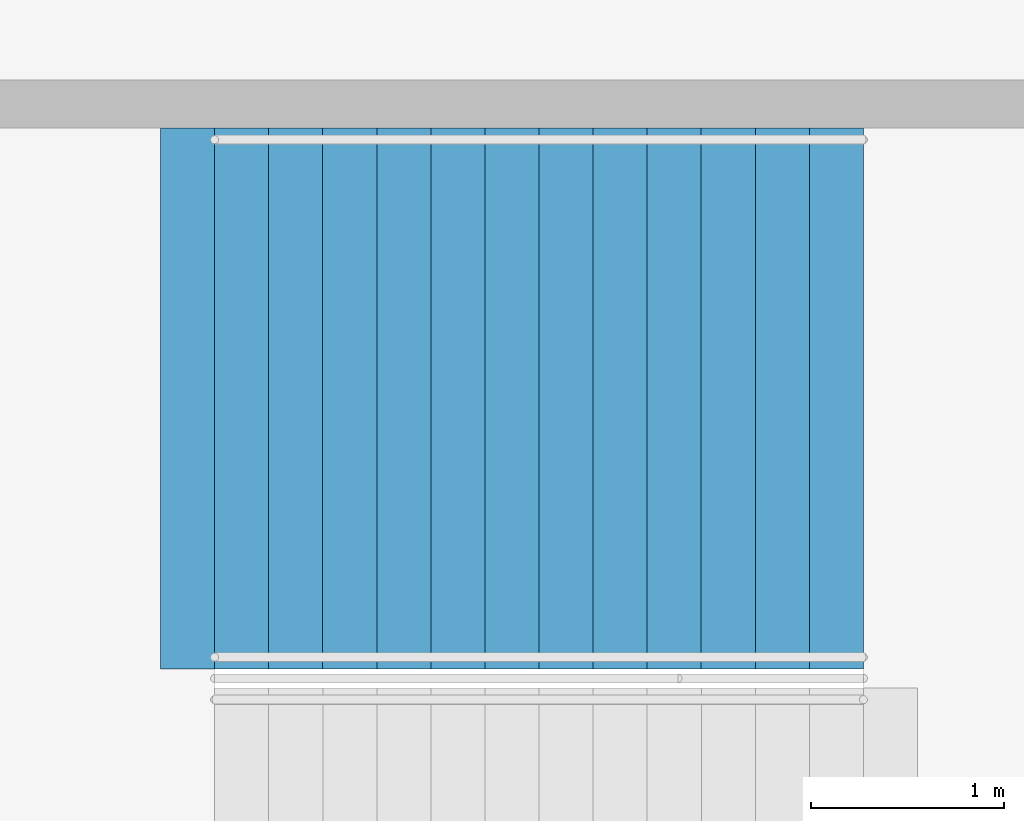
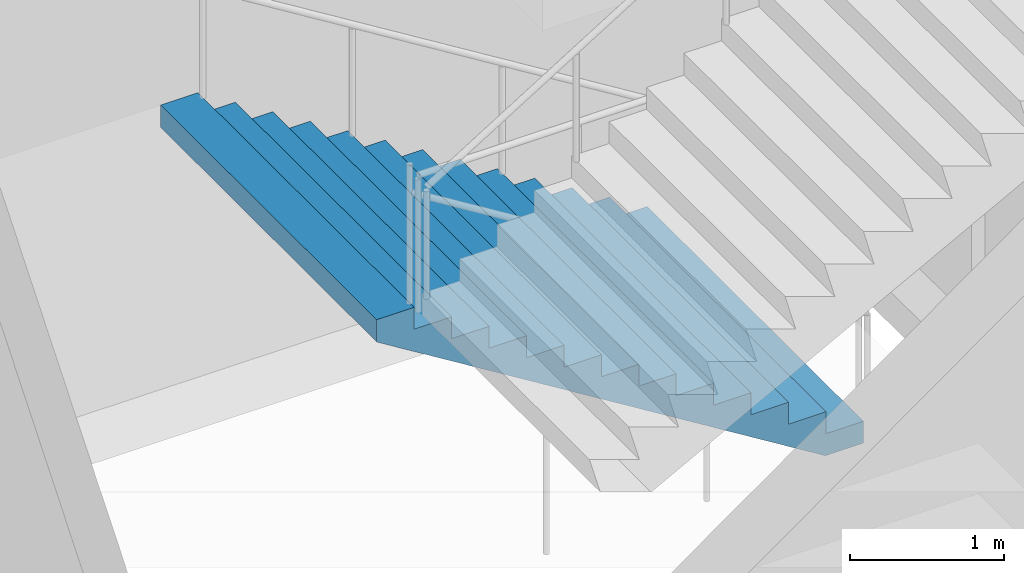
# One storey, part 131 of 177: 1 stair flight, 1 element without a shape of its own.
"""IFC4 building model written with IfcOpenShell, lengths in metres."""

import ifcopenshell
import ifcopenshell.guid

model = None  # the IFC model being written
_history = None  # IfcOwnerHistory: only IFC2X3 demands one
_inside = {}  # id of a spatial element -> (the spatial element, [elements in it])
_under = {}  # id of a project, library or spatial element -> (it, [spatial elements below it])
_declared = {}  # id of a project -> (the project, [libraries it declares])
_typed = {}  # id of a type object -> (the type object, [elements of that type])
_made_of = {}  # id of a material, layer set ... -> (it, [elements and type objects made of it])


def new_model(schema):
    """Start an empty IFC model of exactly this schema.

    Asked for "IFC4X3", IfcOpenShell would pick the latest addendum, in which some entities
    have other attributes; the version numbers below select the first issue.
    IFC2X3 requires an IfcOwnerHistory on every rooted entity: one is made here for all.
    """
    global model, _history
    if schema == "IFC4X3":
        model = ifcopenshell.file(schema_version=(4, 3, 0, 0))
    else:
        model = ifcopenshell.file(schema=schema)
    _inside.clear()
    _under.clear()
    _declared.clear()
    _typed.clear()
    _made_of.clear()
    _history = None
    if model.schema == "IFC2X3":
        org = make("IfcOrganization", Name="unknown")
        user = make(
            "IfcPersonAndOrganization",
            ThePerson=make("IfcPerson", FamilyName="unknown"),
            TheOrganization=org,
        )
        app = make(
            "IfcApplication",
            ApplicationDeveloper=org,
            Version="unknown",
            ApplicationFullName="unknown",
            ApplicationIdentifier="unknown",
        )
        _history = make(
            "IfcOwnerHistory",
            OwningUser=user,
            OwningApplication=app,
            ChangeAction="ADDED",
            CreationDate=0,
        )
    return model


def make(cls, **values):
    """One entity of the class cls with the attributes given. An attribute that is None is left unset."""
    return model.create_entity(
        cls, **{name: value for name, value in values.items() if value is not None}
    )


def rooted(cls, **values):
    """An entity with a GlobalId (a new one), such as an element, a storey or a relation."""
    return make(cls, GlobalId=ifcopenshell.guid.new(), OwnerHistory=_history, **values)


def si_unit(unit_type, name, prefix=None):
    """IfcSIUnit, for example si_unit("LENGTHUNIT", "METRE", prefix="MILLI")."""
    return make("IfcSIUnit", UnitType=unit_type, Prefix=prefix, Name=name)


def assignment(units):
    """IfcUnitAssignment: the units of a project."""
    return None if units is None else make("IfcUnitAssignment", Units=units)


def point(xyz):
    """IfcCartesianPoint."""
    return None if xyz is None else make("IfcCartesianPoint", Coordinates=xyz)


def direction(xyz):
    """IfcDirection."""
    return None if xyz is None else make("IfcDirection", DirectionRatios=xyz)


def frame(location, z_axis=None, x_axis=None):
    """IfcAxis2Placement3D, a coordinate frame: its origin and axes. An axis left out is left unset."""
    return make(
        "IfcAxis2Placement3D",
        Location=point(location),
        Axis=direction(z_axis),
        RefDirection=direction(x_axis),
    )


def origin():
    """The frame at (0, 0, 0) with its axes left unset."""
    return frame((0.0, 0.0, 0.0))


def place(relative_to, where):
    """IfcLocalPlacement: puts the frame where relative to a parent placement (None: the world)."""
    return make(
        "IfcLocalPlacement", PlacementRelTo=relative_to, RelativePlacement=where
    )


def context(
    kind, dimensions, precision=None, world=None, true_north=None, identifier=None
):
    """IfcGeometricRepresentationContext, for example the 3D "Model" context."""
    return make(
        "IfcGeometricRepresentationContext",
        ContextIdentifier=identifier,
        ContextType=kind,
        CoordinateSpaceDimension=dimensions,
        Precision=precision,
        WorldCoordinateSystem=world,
        TrueNorth=true_north,
    )


def subcontext(parent, identifier, kind, view, scale=None):
    """IfcGeometricRepresentationSubContext, for example "Body" below "Model"."""
    return make(
        "IfcGeometricRepresentationSubContext",
        ContextIdentifier=identifier,
        ContextType=kind,
        ParentContext=parent,
        TargetScale=scale,
        TargetView=view,
    )


def project(units=None, contexts=None):
    """IfcProject with its units and contexts."""
    return rooted(
        "IfcProject",
        Name="project",
        RepresentationContexts=contexts,
        UnitsInContext=assignment(units),
    )


def spatial(cls, under=None, at=None, **own):
    """A site, building, storey or space (cls), placed at a placement, below another one or the project."""
    s = rooted(cls, ObjectPlacement=at, **own)
    if under is not None:
        _under.setdefault(under.id(), (under, []))[1].append(s)
    return s


def faces_of(points, faces, orient=None, outer=None):
    """IfcFace entities. A face is a list of loops; a loop is a list of indices into points, from 0.

    orient and outer hold one flag for each loop. By default every Orientation is true, the
    first loop of a face is its IfcFaceOuterBound and the others are IfcFaceBound.
    """
    made = []
    for i, loops in enumerate(faces):
        bounds = []
        for j, loop in enumerate(loops):
            is_outer = j == 0 if outer is None else outer[i][j]
            bounds.append(
                make(
                    "IfcFaceOuterBound" if is_outer else "IfcFaceBound",
                    Bound=make("IfcPolyLoop", Polygon=[points[k] for k in loop]),
                    Orientation=True if orient is None else orient[i][j],
                )
            )
        made.append(make("IfcFace", Bounds=bounds))
    return made


def faceted_brep(points, faces, orient=None, outer=None, voids=None):
    """IfcFacetedBrep: a solid bounded by flat faces; with voids (closed shells), ...WithVoids."""
    shared = [point(p) for p in points]
    hull = make("IfcClosedShell", CfsFaces=faces_of(shared, faces, orient, outer))
    if voids is None:
        return make("IfcFacetedBrep", Outer=hull)
    return make(
        "IfcFacetedBrepWithVoids",
        Outer=hull,
        Voids=[
            make(cls, CfsFaces=faces_of(shared, fs, o, b)) for cls, fs, o, b in voids
        ],
    )


def shape(context_of_items, identifier, shape_type, items):
    """IfcShapeRepresentation: the items that make up one representation, for example the "Body"."""
    return make(
        "IfcShapeRepresentation",
        ContextOfItems=context_of_items,
        RepresentationIdentifier=identifier,
        RepresentationType=shape_type,
        Items=items,
    )


def material(Name=None, Category=None):
    """IfcMaterial."""
    return make("IfcMaterial", Name=Name, Category=Category)


def made_of(thing, what):
    """Note that an element or type object is made of a material, layer set ...; save() writes the relation."""
    if what is not None:
        _made_of.setdefault(what.id(), (what, []))[1].append(thing)
    return thing


def type_object(cls, material=None, **own):
    """A type object (cls), such as IfcWallType, which elements share."""
    return made_of(rooted(cls, **own), material)


def element(
    cls,
    number,
    at=None,
    inside=None,
    cuts=None,
    type_object=None,
    material=None,
    context=None,
    identifier="Body",
    shape_type=None,
    held_by="IfcProductDefinitionShape",
    body=None,
    shapes=None,
    **own,
):
    """One element of the class cls, such as IfcWall. Its Tag is "e" and its number.

    at: its placement. inside: the storey or other place that contains it. cuts: it is an
    opening in that element (IfcRelVoidsElement). A single representation is given by context,
    identifier, shape_type and body (its items); several are given by shapes. held_by: the class
    of the entity that holds the representations. save() writes the other relations.
    """
    e = rooted(cls, Tag="e%d" % number, ObjectPlacement=at, **own)
    if body is not None:
        shapes = [shape(context, identifier, shape_type, body)]
    if shapes is not None:
        e.Representation = make(held_by, Representations=shapes)
    if inside is not None:
        _inside.setdefault(inside.id(), (inside, []))[1].append(e)
    if cuts is not None:
        rooted(
            "IfcRelVoidsElement", RelatingBuildingElement=cuts, RelatedOpeningElement=e
        )
    if type_object is not None:
        _typed.setdefault(type_object.id(), (type_object, []))[1].append(e)
    return made_of(e, material)


def aggregate(whole, parts):
    """IfcRelAggregates: a whole, such as a stair, and the parts it consists of."""
    return rooted("IfcRelAggregates", RelatingObject=whole, RelatedObjects=parts)


def save(model, path):
    """Write the relations noted so far, then the file.

    IfcRelAggregates (storeys below a building ...), IfcRelContainedInSpatialStructure (elements
    in a storey), IfcRelDefinesByType, IfcRelAssociatesMaterial and IfcRelDeclares: one each for
    every whole, place, type object, material and project.
    """
    for whole, parts in _under.values():
        aggregate(whole, parts)
    for where, things in _inside.values():
        rooted(
            "IfcRelContainedInSpatialStructure",
            RelatedElements=things,
            RelatingStructure=where,
        )
    for kind, things in _typed.values():
        rooted("IfcRelDefinesByType", RelatedObjects=things, RelatingType=kind)
    for what, things in _made_of.values():
        rooted("IfcRelAssociatesMaterial", RelatedObjects=things, RelatingMaterial=what)
    for by, libraries in _declared.values():
        rooted("IfcRelDeclares", RelatingContext=by, RelatedDefinitions=libraries)
    model.write(path)


model = new_model("IFC4")

# Units and contexts
model_context = context("Model", 3, precision=1e-05, world=origin(), true_north=direction((0.0, 1.0)))
body_context = subcontext(model_context, "Body", "Model", "MODEL_VIEW")
ifc_project = project(units=[si_unit("LENGTHUNIT", "METRE"), si_unit("AREAUNIT", "SQUARE_METRE"), si_unit("VOLUMEUNIT", "CUBIC_METRE"), si_unit("PLANEANGLEUNIT", "RADIAN"), si_unit("MASSUNIT", "GRAM", prefix="KILO")], contexts=[model_context])

# Site, building, storey
site_placement = place(None, origin())
site = spatial("IfcSite", under=ifc_project, at=site_placement, CompositionType="ELEMENT")
building_placement = place(site_placement, origin())
building = spatial("IfcBuilding", under=site, at=building_placement, Name="Ogive Plaza Stadium", CompositionType="ELEMENT")
storey_placement = place(building_placement, frame((0.0, 0.0, 18.0)))
storey = spatial("IfcBuildingStorey", under=building, at=storey_placement, Name="L04", CompositionType="ELEMENT", Elevation=18.0)

# Stair, stair flight
ifc_material_1 = material(Name="Concrete C40/50", Category="concrete")
stair_type = type_object("IfcStairType", Name="Exit stair", PredefinedType="STRAIGHT_RUN_STAIR", material=ifc_material_1)
stair_placement = place(storey_placement, origin())
stair = element("IfcStair", 1, at=stair_placement, inside=storey, type_object=stair_type, Name="Exit stair ST26A L04 to L05", PredefinedType="STRAIGHT_RUN_STAIR")
ifc_material_2 = material(Name="Concrete C40/50", Category="concrete")
stair_flight_type = type_object("IfcStairFlightType", Name="Exit stair flight", PredefinedType="STRAIGHT", material=ifc_material_2)
stair_flight_placement = place(storey_placement, frame((-76.35009765625, 26.925048828125, 0.0), z_axis=(0.0, 0.0, 1.0), x_axis=(-1.0, 0.0, 0.0)))
stair_flight = element("IfcStairFlight", 2, at=stair_flight_placement, type_object=stair_flight_type, Name="ST26A flight 1", NumberOfRisers=13, NumberOfTreads=12, PredefinedType="STRAIGHT", RiserHeight=0.173076923, TreadLength=0.28, context=body_context, shape_type="Brep", body=[
    faceted_brep([(0.28515625, -1.39990234375, 0.0), (3.639892578125, -1.39990234375, 2.07373046875), (3.639892578125, -1.39990234375, 2.25), (3.360107421875, -1.39990234375, 2.25), (3.360107421875, -1.39990234375, 2.076904296875), (3.080078125, -1.39990234375, 2.076904296875), (3.080078125, -1.39990234375, 1.90380859375), (2.800048828125, -1.39990234375, 1.90380859375), (2.800048828125, -1.39990234375, 1.730712890625), (2.52001953125, -1.39990234375, 1.730712890625), (2.52001953125, -1.39990234375, 1.5576171875), (2.239990234375, -1.39990234375, 1.5576171875), (2.239990234375, -1.39990234375, 1.384521484375), (1.9599609375, -1.39990234375, 1.384521484375), (1.9599609375, -1.39990234375, 1.21142578125), (1.679931640625, -1.39990234375, 1.21142578125), (1.679931640625, -1.39990234375, 1.03857421875), (1.39990234375, -1.39990234375, 1.03857421875), (1.39990234375, -1.39990234375, 0.865478515625), (1.1201171875, -1.39990234375, 0.865478515625), (1.1201171875, -1.39990234375, 0.6923828125), (0.840087890625, -1.39990234375, 0.6923828125), (0.840087890625, -1.39990234375, 0.519287109375), (0.56005859375, -1.39990234375, 0.519287109375), (0.56005859375, -1.39990234375, 0.34619140625), (0.280029296875, -1.39990234375, 0.34619140625), (0.280029296875, -1.39990234375, 0.173095703125), (0.0, -1.39990234375, 0.173095703125), (0.0, -1.39990234375, 0.0), (0.0, 1.39990234375, 0.0), (0.0, 1.39990234375, 0.173095703125), (0.280029296875, 1.39990234375, 0.173095703125), (0.280029296875, 1.39990234375, 0.34619140625), (0.56005859375, 1.39990234375, 0.34619140625), (0.56005859375, 1.39990234375, 0.519287109375), (0.840087890625, 1.39990234375, 0.519287109375), (0.840087890625, 1.39990234375, 0.6923828125), (1.1201171875, 1.39990234375, 0.6923828125), (1.1201171875, 1.39990234375, 0.865478515625), (1.39990234375, 1.39990234375, 0.865478515625), (1.39990234375, 1.39990234375, 1.03857421875), (1.679931640625, 1.39990234375, 1.03857421875), (1.679931640625, 1.39990234375, 1.21142578125), (1.9599609375, 1.39990234375, 1.21142578125), (1.9599609375, 1.39990234375, 1.384521484375), (2.239990234375, 1.39990234375, 1.384521484375), (2.239990234375, 1.39990234375, 1.5576171875), (2.52001953125, 1.39990234375, 1.5576171875), (2.52001953125, 1.39990234375, 1.730712890625), (2.800048828125, 1.39990234375, 1.730712890625), (2.800048828125, 1.39990234375, 1.90380859375), (3.080078125, 1.39990234375, 1.90380859375), (3.080078125, 1.39990234375, 2.076904296875), (3.360107421875, 1.39990234375, 2.076904296875), (3.360107421875, 1.39990234375, 2.25), (3.639892578125, 1.39990234375, 2.25), (3.639892578125, 1.39990234375, 2.07373046875), (0.28515625, 1.39990234375, 0.0), (0.28515625, -1.0888671875, 0.0), (3.639892578125, -1.0888671875, 2.07373046875), (0.28515625, -0.77783203125, 0.0), (3.639892578125, -0.77783203125, 2.07373046875), (0.28515625, -0.466796875, 0.0), (3.639892578125, -0.466796875, 2.07373046875), (0.28515625, -0.155517578125, 0.0), (3.639892578125, -0.155517578125, 2.07373046875), (0.28515625, 0.155517578125, 0.0), (3.639892578125, 0.155517578125, 2.07373046875), (0.28515625, 0.466796875, 0.0), (3.639892578125, 0.466796875, 2.07373046875), (0.28515625, 0.77783203125, 0.0), (3.639892578125, 0.77783203125, 2.07373046875), (0.28515625, 1.0888671875, 0.0), (3.639892578125, 1.0888671875, 2.07373046875), (3.639892578125, -1.0888671875, 2.25), (3.639892578125, -0.77783203125, 2.25), (3.639892578125, -0.466796875, 2.25), (3.639892578125, -0.155517578125, 2.25), (3.639892578125, 0.155517578125, 2.25), (3.639892578125, 0.466796875, 2.25), (3.639892578125, 0.77783203125, 2.25), (3.639892578125, 1.0888671875, 2.25), (3.360107421875, -1.0888671875, 2.25), (3.360107421875, -0.77783203125, 2.25), (3.360107421875, -0.466796875, 2.25), (3.360107421875, -0.155517578125, 2.25), (3.360107421875, 0.155517578125, 2.25), (3.360107421875, 0.466796875, 2.25), (3.360107421875, 0.77783203125, 2.25), (3.360107421875, 1.0888671875, 2.25), (3.360107421875, -1.0888671875, 2.076904296875), (3.360107421875, -0.77783203125, 2.076904296875), (3.360107421875, -0.466796875, 2.076904296875), (3.360107421875, -0.155517578125, 2.076904296875), (3.360107421875, 0.155517578125, 2.076904296875), (3.360107421875, 0.466796875, 2.076904296875), (3.360107421875, 0.77783203125, 2.076904296875), (3.360107421875, 1.0888671875, 2.076904296875), (3.080078125, -1.0888671875, 2.076904296875), (3.080078125, -0.77783203125, 2.076904296875), (3.080078125, -0.466796875, 2.076904296875), (3.080078125, -0.155517578125, 2.076904296875), (3.080078125, 0.155517578125, 2.076904296875), (3.080078125, 0.466796875, 2.076904296875), (3.080078125, 0.77783203125, 2.076904296875), (3.080078125, 1.0888671875, 2.076904296875), (3.080078125, -1.0888671875, 1.90380859375), (3.080078125, -0.77783203125, 1.90380859375), (3.080078125, -0.466796875, 1.90380859375), (3.080078125, -0.155517578125, 1.90380859375), (3.080078125, 0.155517578125, 1.90380859375), (3.080078125, 0.466796875, 1.90380859375), (3.080078125, 0.77783203125, 1.90380859375), (3.080078125, 1.0888671875, 1.90380859375), (2.800048828125, -1.0888671875, 1.90380859375), (2.800048828125, -0.77783203125, 1.90380859375), (2.800048828125, -0.466796875, 1.90380859375), (2.800048828125, -0.155517578125, 1.90380859375), (2.800048828125, 0.155517578125, 1.90380859375), (2.800048828125, 0.466796875, 1.90380859375), (2.800048828125, 0.77783203125, 1.90380859375), (2.800048828125, 1.0888671875, 1.90380859375), (2.800048828125, -1.0888671875, 1.730712890625), (2.800048828125, -0.77783203125, 1.730712890625), (2.800048828125, -0.466796875, 1.730712890625), (2.800048828125, -0.155517578125, 1.730712890625), (2.800048828125, 0.155517578125, 1.730712890625), (2.800048828125, 0.466796875, 1.730712890625), (2.800048828125, 0.77783203125, 1.730712890625), (2.800048828125, 1.0888671875, 1.730712890625), (2.52001953125, -1.0888671875, 1.730712890625), (2.52001953125, -0.77783203125, 1.730712890625), (2.52001953125, -0.466796875, 1.730712890625), (2.52001953125, -0.155517578125, 1.730712890625), (2.52001953125, 0.155517578125, 1.730712890625), (2.52001953125, 0.466796875, 1.730712890625), (2.52001953125, 0.77783203125, 1.730712890625), (2.52001953125, 1.0888671875, 1.730712890625), (2.52001953125, -1.0888671875, 1.5576171875), (2.52001953125, -0.77783203125, 1.5576171875), (2.52001953125, -0.466796875, 1.5576171875), (2.52001953125, -0.155517578125, 1.5576171875), (2.52001953125, 0.155517578125, 1.5576171875), (2.52001953125, 0.466796875, 1.5576171875), (2.52001953125, 0.77783203125, 1.5576171875), (2.52001953125, 1.0888671875, 1.5576171875), (2.239990234375, -1.0888671875, 1.5576171875), (2.239990234375, -0.77783203125, 1.5576171875), (2.239990234375, -0.466796875, 1.5576171875), (2.239990234375, -0.155517578125, 1.5576171875), (2.239990234375, 0.155517578125, 1.5576171875), (2.239990234375, 0.466796875, 1.5576171875), (2.239990234375, 0.77783203125, 1.5576171875), (2.239990234375, 1.0888671875, 1.5576171875), (2.239990234375, -1.0888671875, 1.384521484375), (2.239990234375, -0.77783203125, 1.384521484375), (2.239990234375, -0.466796875, 1.384521484375), (2.239990234375, -0.155517578125, 1.384521484375), (2.239990234375, 0.155517578125, 1.384521484375), (2.239990234375, 0.466796875, 1.384521484375), (2.239990234375, 0.77783203125, 1.384521484375), (2.239990234375, 1.0888671875, 1.384521484375), (1.9599609375, -1.0888671875, 1.384521484375), (1.9599609375, -0.77783203125, 1.384521484375), (1.9599609375, -0.466796875, 1.384521484375), (1.9599609375, -0.155517578125, 1.384521484375), (1.9599609375, 0.155517578125, 1.384521484375), (1.9599609375, 0.466796875, 1.384521484375), (1.9599609375, 0.77783203125, 1.384521484375), (1.9599609375, 1.0888671875, 1.384521484375), (1.9599609375, -1.0888671875, 1.21142578125), (1.9599609375, -0.77783203125, 1.21142578125), (1.9599609375, -0.466796875, 1.21142578125), (1.9599609375, -0.155517578125, 1.21142578125), (1.9599609375, 0.155517578125, 1.21142578125), (1.9599609375, 0.466796875, 1.21142578125), (1.9599609375, 0.77783203125, 1.21142578125), (1.9599609375, 1.0888671875, 1.21142578125), (1.679931640625, -1.0888671875, 1.21142578125), (1.679931640625, -0.77783203125, 1.21142578125), (1.679931640625, -0.466796875, 1.21142578125), (1.679931640625, -0.155517578125, 1.21142578125), (1.679931640625, 0.155517578125, 1.21142578125), (1.679931640625, 0.466796875, 1.21142578125), (1.679931640625, 0.77783203125, 1.21142578125), (1.679931640625, 1.0888671875, 1.21142578125), (1.679931640625, -1.0888671875, 1.03857421875), (1.679931640625, -0.77783203125, 1.03857421875), (1.679931640625, -0.466796875, 1.03857421875), (1.679931640625, -0.155517578125, 1.03857421875), (1.679931640625, 0.155517578125, 1.03857421875), (1.679931640625, 0.466796875, 1.03857421875), (1.679931640625, 0.77783203125, 1.03857421875), (1.679931640625, 1.0888671875, 1.03857421875), (1.39990234375, -1.0888671875, 1.03857421875), (1.39990234375, -0.77783203125, 1.03857421875), (1.39990234375, -0.466796875, 1.03857421875), (1.39990234375, -0.155517578125, 1.03857421875), (1.39990234375, 0.155517578125, 1.03857421875), (1.39990234375, 0.466796875, 1.03857421875), (1.39990234375, 0.77783203125, 1.03857421875), (1.39990234375, 1.0888671875, 1.03857421875), (1.39990234375, -1.0888671875, 0.865478515625), (1.39990234375, -0.77783203125, 0.865478515625), (1.39990234375, -0.466796875, 0.865478515625), (1.39990234375, -0.155517578125, 0.865478515625), (1.39990234375, 0.155517578125, 0.865478515625), (1.39990234375, 0.466796875, 0.865478515625), (1.39990234375, 0.77783203125, 0.865478515625), (1.39990234375, 1.0888671875, 0.865478515625), (1.1201171875, -1.0888671875, 0.865478515625), (1.1201171875, -0.77783203125, 0.865478515625), (1.1201171875, -0.466796875, 0.865478515625), (1.1201171875, -0.155517578125, 0.865478515625), (1.1201171875, 0.155517578125, 0.865478515625), (1.1201171875, 0.466796875, 0.865478515625), (1.1201171875, 0.77783203125, 0.865478515625), (1.1201171875, 1.0888671875, 0.865478515625), (1.1201171875, -1.0888671875, 0.6923828125), (1.1201171875, -0.77783203125, 0.6923828125), (1.1201171875, -0.466796875, 0.6923828125), (1.1201171875, -0.155517578125, 0.6923828125), (1.1201171875, 0.155517578125, 0.6923828125), (1.1201171875, 0.466796875, 0.6923828125), (1.1201171875, 0.77783203125, 0.6923828125), (1.1201171875, 1.0888671875, 0.6923828125), (0.840087890625, -1.0888671875, 0.6923828125), (0.840087890625, -0.77783203125, 0.6923828125), (0.840087890625, -0.466796875, 0.6923828125), (0.840087890625, -0.155517578125, 0.6923828125), (0.840087890625, 0.155517578125, 0.6923828125), (0.840087890625, 0.466796875, 0.6923828125), (0.840087890625, 0.77783203125, 0.6923828125), (0.840087890625, 1.0888671875, 0.6923828125), (0.840087890625, -1.0888671875, 0.519287109375), (0.840087890625, -0.77783203125, 0.519287109375), (0.840087890625, -0.466796875, 0.519287109375), (0.840087890625, -0.155517578125, 0.519287109375), (0.840087890625, 0.155517578125, 0.519287109375), (0.840087890625, 0.466796875, 0.519287109375), (0.840087890625, 0.77783203125, 0.519287109375), (0.840087890625, 1.0888671875, 0.519287109375), (0.56005859375, -1.0888671875, 0.519287109375), (0.56005859375, -0.77783203125, 0.519287109375), (0.56005859375, -0.466796875, 0.519287109375), (0.56005859375, -0.155517578125, 0.519287109375), (0.56005859375, 0.155517578125, 0.519287109375), (0.56005859375, 0.466796875, 0.519287109375), (0.56005859375, 0.77783203125, 0.519287109375), (0.56005859375, 1.0888671875, 0.519287109375), (0.56005859375, -1.0888671875, 0.34619140625), (0.56005859375, -0.77783203125, 0.34619140625), (0.56005859375, -0.466796875, 0.34619140625), (0.56005859375, -0.155517578125, 0.34619140625), (0.56005859375, 0.155517578125, 0.34619140625), (0.56005859375, 0.466796875, 0.34619140625), (0.56005859375, 0.77783203125, 0.34619140625), (0.56005859375, 1.0888671875, 0.34619140625), (0.280029296875, -1.0888671875, 0.34619140625), (0.280029296875, -0.77783203125, 0.34619140625), (0.280029296875, -0.466796875, 0.34619140625), (0.280029296875, -0.155517578125, 0.34619140625), (0.280029296875, 0.155517578125, 0.34619140625), (0.280029296875, 0.466796875, 0.34619140625), (0.280029296875, 0.77783203125, 0.34619140625), (0.280029296875, 1.0888671875, 0.34619140625), (0.280029296875, -1.0888671875, 0.173095703125), (0.280029296875, -0.77783203125, 0.173095703125), (0.280029296875, -0.466796875, 0.173095703125), (0.280029296875, -0.155517578125, 0.173095703125), (0.280029296875, 0.155517578125, 0.173095703125), (0.280029296875, 0.466796875, 0.173095703125), (0.280029296875, 0.77783203125, 0.173095703125), (0.280029296875, 1.0888671875, 0.173095703125), (0.0, -1.0888671875, 0.173095703125), (0.0, -0.77783203125, 0.173095703125), (0.0, -0.466796875, 0.173095703125), (0.0, -0.155517578125, 0.173095703125), (0.0, 0.155517578125, 0.173095703125), (0.0, 0.466796875, 0.173095703125), (0.0, 0.77783203125, 0.173095703125), (0.0, 1.0888671875, 0.173095703125), (0.0, -1.0888671875, 0.0), (0.0, -0.77783203125, 0.0), (0.0, -0.466796875, 0.0), (0.0, -0.155517578125, 0.0), (0.0, 0.155517578125, 0.0), (0.0, 0.466796875, 0.0), (0.0, 0.77783203125, 0.0), (0.0, 1.0888671875, 0.0)], [[[0, 1, 2, 3, 4, 5, 6, 7, 8, 9, 10, 11, 12, 13, 14, 15, 16, 17, 18, 19, 20, 21, 22, 23, 24, 25, 26, 27, 28]], [[29, 30, 31, 32, 33, 34, 35, 36, 37, 38, 39, 40, 41, 42, 43, 44, 45, 46, 47, 48, 49, 50, 51, 52, 53, 54, 55, 56, 57]], [[0, 58, 59, 1]], [[58, 60, 61, 59]], [[60, 62, 63, 61]], [[62, 64, 65, 63]], [[64, 66, 67, 65]], [[66, 68, 69, 67]], [[68, 70, 71, 69]], [[70, 72, 73, 71]], [[72, 57, 56, 73]], [[1, 59, 74, 2]], [[59, 61, 75, 74]], [[61, 63, 76, 75]], [[63, 65, 77, 76]], [[65, 67, 78, 77]], [[67, 69, 79, 78]], [[69, 71, 80, 79]], [[71, 73, 81, 80]], [[73, 56, 55, 81]], [[2, 74, 82, 3]], [[74, 75, 83, 82]], [[75, 76, 84, 83]], [[76, 77, 85, 84]], [[77, 78, 86, 85]], [[78, 79, 87, 86]], [[79, 80, 88, 87]], [[80, 81, 89, 88]], [[81, 55, 54, 89]], [[3, 82, 90, 4]], [[82, 83, 91, 90]], [[83, 84, 92, 91]], [[84, 85, 93, 92]], [[85, 86, 94, 93]], [[86, 87, 95, 94]], [[87, 88, 96, 95]], [[88, 89, 97, 96]], [[89, 54, 53, 97]], [[4, 90, 98, 5]], [[90, 91, 99, 98]], [[91, 92, 100, 99]], [[92, 93, 101, 100]], [[93, 94, 102, 101]], [[94, 95, 103, 102]], [[95, 96, 104, 103]], [[96, 97, 105, 104]], [[97, 53, 52, 105]], [[5, 98, 106, 6]], [[98, 99, 107, 106]], [[99, 100, 108, 107]], [[100, 101, 109, 108]], [[101, 102, 110, 109]], [[102, 103, 111, 110]], [[103, 104, 112, 111]], [[104, 105, 113, 112]], [[105, 52, 51, 113]], [[6, 106, 114, 7]], [[106, 107, 115, 114]], [[107, 108, 116, 115]], [[108, 109, 117, 116]], [[109, 110, 118, 117]], [[110, 111, 119, 118]], [[111, 112, 120, 119]], [[112, 113, 121, 120]], [[113, 51, 50, 121]], [[7, 114, 122, 8]], [[114, 115, 123, 122]], [[115, 116, 124, 123]], [[116, 117, 125, 124]], [[117, 118, 126, 125]], [[118, 119, 127, 126]], [[119, 120, 128, 127]], [[120, 121, 129, 128]], [[121, 50, 49, 129]], [[8, 122, 130, 9]], [[122, 123, 131, 130]], [[123, 124, 132, 131]], [[124, 125, 133, 132]], [[125, 126, 134, 133]], [[126, 127, 135, 134]], [[127, 128, 136, 135]], [[128, 129, 137, 136]], [[129, 49, 48, 137]], [[9, 130, 138, 10]], [[130, 131, 139, 138]], [[131, 132, 140, 139]], [[132, 133, 141, 140]], [[133, 134, 142, 141]], [[134, 135, 143, 142]], [[135, 136, 144, 143]], [[136, 137, 145, 144]], [[137, 48, 47, 145]], [[10, 138, 146, 11]], [[138, 139, 147, 146]], [[139, 140, 148, 147]], [[140, 141, 149, 148]], [[141, 142, 150, 149]], [[142, 143, 151, 150]], [[143, 144, 152, 151]], [[144, 145, 153, 152]], [[145, 47, 46, 153]], [[11, 146, 154, 12]], [[146, 147, 155, 154]], [[147, 148, 156, 155]], [[148, 149, 157, 156]], [[149, 150, 158, 157]], [[150, 151, 159, 158]], [[151, 152, 160, 159]], [[152, 153, 161, 160]], [[153, 46, 45, 161]], [[12, 154, 162, 13]], [[154, 155, 163, 162]], [[155, 156, 164, 163]], [[156, 157, 165, 164]], [[157, 158, 166, 165]], [[158, 159, 167, 166]], [[159, 160, 168, 167]], [[160, 161, 169, 168]], [[161, 45, 44, 169]], [[13, 162, 170, 14]], [[162, 163, 171, 170]], [[163, 164, 172, 171]], [[164, 165, 173, 172]], [[165, 166, 174, 173]], [[166, 167, 175, 174]], [[167, 168, 176, 175]], [[168, 169, 177, 176]], [[169, 44, 43, 177]], [[14, 170, 178, 15]], [[170, 171, 179, 178]], [[171, 172, 180, 179]], [[172, 173, 181, 180]], [[173, 174, 182, 181]], [[174, 175, 183, 182]], [[175, 176, 184, 183]], [[176, 177, 185, 184]], [[177, 43, 42, 185]], [[15, 178, 186, 16]], [[178, 179, 187, 186]], [[179, 180, 188, 187]], [[180, 181, 189, 188]], [[181, 182, 190, 189]], [[182, 183, 191, 190]], [[183, 184, 192, 191]], [[184, 185, 193, 192]], [[185, 42, 41, 193]], [[16, 186, 194, 17]], [[186, 187, 195, 194]], [[187, 188, 196, 195]], [[188, 189, 197, 196]], [[189, 190, 198, 197]], [[190, 191, 199, 198]], [[191, 192, 200, 199]], [[192, 193, 201, 200]], [[193, 41, 40, 201]], [[17, 194, 202, 18]], [[194, 195, 203, 202]], [[195, 196, 204, 203]], [[196, 197, 205, 204]], [[197, 198, 206, 205]], [[198, 199, 207, 206]], [[199, 200, 208, 207]], [[200, 201, 209, 208]], [[201, 40, 39, 209]], [[18, 202, 210, 19]], [[202, 203, 211, 210]], [[203, 204, 212, 211]], [[204, 205, 213, 212]], [[205, 206, 214, 213]], [[206, 207, 215, 214]], [[207, 208, 216, 215]], [[208, 209, 217, 216]], [[209, 39, 38, 217]], [[19, 210, 218, 20]], [[210, 211, 219, 218]], [[211, 212, 220, 219]], [[212, 213, 221, 220]], [[213, 214, 222, 221]], [[214, 215, 223, 222]], [[215, 216, 224, 223]], [[216, 217, 225, 224]], [[217, 38, 37, 225]], [[20, 218, 226, 21]], [[218, 219, 227, 226]], [[219, 220, 228, 227]], [[220, 221, 229, 228]], [[221, 222, 230, 229]], [[222, 223, 231, 230]], [[223, 224, 232, 231]], [[224, 225, 233, 232]], [[225, 37, 36, 233]], [[21, 226, 234, 22]], [[226, 227, 235, 234]], [[227, 228, 236, 235]], [[228, 229, 237, 236]], [[229, 230, 238, 237]], [[230, 231, 239, 238]], [[231, 232, 240, 239]], [[232, 233, 241, 240]], [[233, 36, 35, 241]], [[22, 234, 242, 23]], [[234, 235, 243, 242]], [[235, 236, 244, 243]], [[236, 237, 245, 244]], [[237, 238, 246, 245]], [[238, 239, 247, 246]], [[239, 240, 248, 247]], [[240, 241, 249, 248]], [[241, 35, 34, 249]], [[23, 242, 250, 24]], [[242, 243, 251, 250]], [[243, 244, 252, 251]], [[244, 245, 253, 252]], [[245, 246, 254, 253]], [[246, 247, 255, 254]], [[247, 248, 256, 255]], [[248, 249, 257, 256]], [[249, 34, 33, 257]], [[24, 250, 258, 25]], [[250, 251, 259, 258]], [[251, 252, 260, 259]], [[252, 253, 261, 260]], [[253, 254, 262, 261]], [[254, 255, 263, 262]], [[255, 256, 264, 263]], [[256, 257, 265, 264]], [[257, 33, 32, 265]], [[25, 258, 266, 26]], [[258, 259, 267, 266]], [[259, 260, 268, 267]], [[260, 261, 269, 268]], [[261, 262, 270, 269]], [[262, 263, 271, 270]], [[263, 264, 272, 271]], [[264, 265, 273, 272]], [[265, 32, 31, 273]], [[26, 266, 274, 27]], [[266, 267, 275, 274]], [[267, 268, 276, 275]], [[268, 269, 277, 276]], [[269, 270, 278, 277]], [[270, 271, 279, 278]], [[271, 272, 280, 279]], [[272, 273, 281, 280]], [[273, 31, 30, 281]], [[27, 274, 282, 28]], [[274, 275, 283, 282]], [[275, 276, 284, 283]], [[276, 277, 285, 284]], [[277, 278, 286, 285]], [[278, 279, 287, 286]], [[279, 280, 288, 287]], [[280, 281, 289, 288]], [[281, 30, 29, 289]], [[28, 282, 58, 0]], [[282, 283, 60, 58]], [[283, 284, 62, 60]], [[284, 285, 64, 62]], [[285, 286, 66, 64]], [[286, 287, 68, 66]], [[287, 288, 70, 68]], [[288, 289, 72, 70]], [[289, 29, 57, 72]]]),
])
aggregate(stair, [stair_flight])

save(model, "model.ifc")
